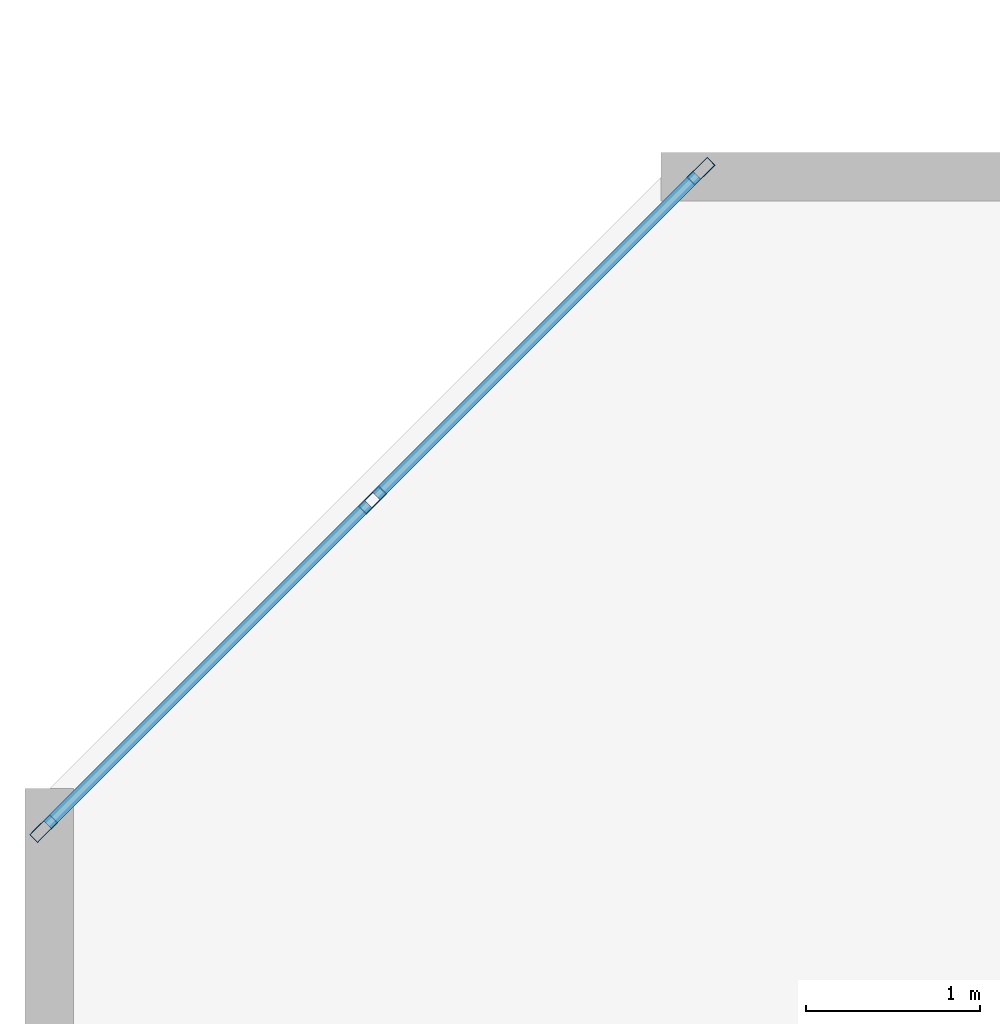
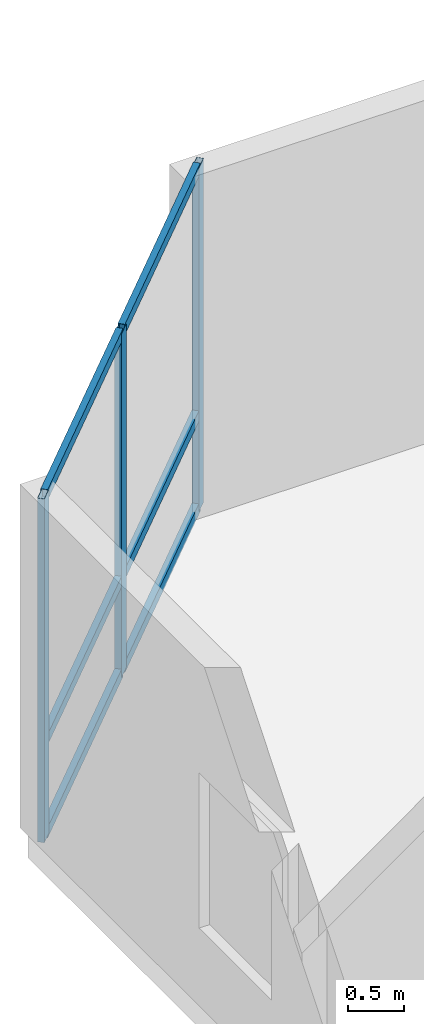
# One storey, part 2 of 11: 9 members, 1 element without a shape of its own.
"""IFC4 building model written with IfcOpenShell, lengths in metres."""

from ifc_helpers import new_model, si_unit, direction, frame, origin, origin_2d, place, context, subcontext, project, spatial, hollow_rectangle, extrude, material, layer, layer_set, material_profile, profile_set, type_object, element, aggregate, save


model = new_model("IFC4")

# Units and contexts
model_context = context("Model", 3, precision=1e-05, world=origin(), true_north=direction((0.0, 1.0)))
body_context = subcontext(model_context, "Body", "Model", "MODEL_VIEW")
ifc_project = project(units=[si_unit("LENGTHUNIT", "METRE"), si_unit("AREAUNIT", "SQUARE_METRE"), si_unit("VOLUMEUNIT", "CUBIC_METRE"), si_unit("PLANEANGLEUNIT", "RADIAN"), si_unit("MASSUNIT", "GRAM", prefix="KILO")], contexts=[model_context])

# Site, building, storey
site_placement = place(None, origin())
site = spatial("IfcSite", under=ifc_project, at=site_placement, CompositionType="ELEMENT")
building_placement = place(site_placement, origin())
building = spatial("IfcBuilding", under=site, at=building_placement, Name="Kestravale Grand Hotel", CompositionType="ELEMENT")
storey_placement = place(building_placement, frame((0.0, 0.0, 289.39990234375)))
storey = spatial("IfcBuildingStorey", under=building, at=storey_placement, Name="L72", CompositionType="ELEMENT", Elevation=289.39990234375)

# Curtain wall, members
ifc_material_1 = material(Name="Thermally broken champagne-bronze aluminium and low-E glazing", Category="aluminium")
ifc_layer = layer(ifc_material_1, 0.179931640625)
ifc_layer_set = layer_set([ifc_layer], Name="CW-Z4")
curtain_wall_type = type_object("IfcCurtainWallType", Name="CW-Z4", PredefinedType="NOTDEFINED", material=ifc_layer_set)
curtain_wall_placement = place(storey_placement, origin())
curtain_wall = element("IfcCurtainWall", 1, at=curtain_wall_placement, inside=storey, type_object=curtain_wall_type, Name="L72 unitised curtain wall 18", PredefinedType="NOTDEFINED")
ifc_material_2 = material(Name="Aluminium 6063-T6 anodised", Category="aluminium")
ifc_material_profile_1 = material_profile(ifc_material_2, hollow_rectangle(XDim=0.06494140625, YDim=0.1650390625, WallThickness=0.00341796875, at=origin_2d()))
ifc_profile_set_1 = profile_set([ifc_material_profile_1], Name="Aluminium 6063-T6 anodised")
member_type_1 = type_object("IfcMemberType", Name="CW-MUL-165", PredefinedType="MULLION", material=ifc_profile_set_1)
member_1_placement = place(storey_placement, frame((11.690185546875, 44.59228515625, 0.0), z_axis=(0.0, 0.0, 1.0), x_axis=(0.707106781187, -0.707106781187, 0.0)))
member_1 = element("IfcMember", 2, at=member_1_placement, type_object=member_type_1, Name="CW-Z4 mullion 1", PredefinedType="MULLION", context=body_context, shape_type="SweptSolid", body=[
    extrude(hollow_rectangle(XDim=0.06494140625, YDim=0.1650390625, WallThickness=0.00341796875, at=origin_2d()), origin(), (0.0, 0.0, 1.0), 3.760009765625),
])
member_2_placement = place(storey_placement, frame((9.799072265625, 42.700927734375, 0.0), z_axis=(0.0, 0.0, 1.0), x_axis=(0.707106781187, -0.707106781187, 0.0)))
member_2 = element("IfcMember", 3, at=member_2_placement, type_object=member_type_1, Name="CW-Z4 mullion 2", PredefinedType="MULLION", context=body_context, shape_type="SweptSolid", body=[
    extrude(hollow_rectangle(XDim=0.06494140625, YDim=0.1650390625, WallThickness=0.00341796875, at=origin_2d()), origin(), (0.0, 0.0, 1.0), 3.760009765625),
])
member_3_placement = place(storey_placement, frame((7.90771484375, 40.809814453125, 0.0), z_axis=(0.0, 0.0, 1.0), x_axis=(0.707106781187, -0.707106781187, 0.0)))
member_3 = element("IfcMember", 4, at=member_3_placement, type_object=member_type_1, Name="CW-Z4 mullion 3", PredefinedType="MULLION", context=body_context, shape_type="SweptSolid", body=[
    extrude(hollow_rectangle(XDim=0.06494140625, YDim=0.1650390625, WallThickness=0.00341796875, at=origin_2d()), origin(), (0.0, 0.0, 1.0), 3.760009765625),
])
ifc_material_3 = material(Name="Aluminium 6063-T6 anodised", Category="aluminium")
ifc_material_profile_2 = material_profile(ifc_material_3, hollow_rectangle(XDim=0.06494140625, YDim=0.114990234375, WallThickness=0.003173828125, at=origin_2d()))
ifc_profile_set_2 = profile_set([ifc_material_profile_2], Name="Aluminium 6063-T6 anodised")
member_type_2 = type_object("IfcMemberType", Name="CW-TRN-115", PredefinedType="USERDEFINED", material=ifc_profile_set_2)
member_4_placement = place(storey_placement, frame((11.667236328125, 44.5693359375, 0.03271484375), z_axis=(-0.707060004037, -0.707153555242, 0.0), x_axis=(0.707153555242, -0.707060004037, 0.0)))
member_4 = element("IfcMember", 5, at=member_4_placement, type_object=member_type_2, Name="CW-Z4 transom 1.1", ObjectType="TRANSOM", PredefinedType="USERDEFINED", context=body_context, shape_type="SweptSolid", body=[
    extrude(hollow_rectangle(XDim=0.06494140625, YDim=0.114990234375, WallThickness=0.003173828125, at=origin_2d()), origin(), (0.0, 0.0, 1.0), 2.609619140625),
])
member_5_placement = place(storey_placement, frame((11.667236328125, 44.5693359375, 1.050048828125), z_axis=(-0.707060004037, -0.707153555242, 0.0), x_axis=(0.707153555242, -0.707060004037, 0.0)))
member_5 = element("IfcMember", 6, at=member_5_placement, type_object=member_type_2, Name="CW-Z4 transom 1.2", ObjectType="TRANSOM", PredefinedType="USERDEFINED", context=body_context, shape_type="SweptSolid", body=[
    extrude(hollow_rectangle(XDim=0.06494140625, YDim=0.114990234375, WallThickness=0.003173828125, at=origin_2d()), origin(), (0.0, 0.0, 1.0), 2.609619140625),
])
member_6_placement = place(storey_placement, frame((11.667236328125, 44.5693359375, 3.7275390625), z_axis=(-0.707060004037, -0.707153555242, 0.0), x_axis=(0.707153555242, -0.707060004037, 0.0)))
member_6 = element("IfcMember", 7, at=member_6_placement, type_object=member_type_2, Name="CW-Z4 transom 1.3", ObjectType="TRANSOM", PredefinedType="USERDEFINED", context=body_context, shape_type="SweptSolid", body=[
    extrude(hollow_rectangle(XDim=0.06494140625, YDim=0.114990234375, WallThickness=0.003173828125, at=origin_2d()), origin(), (0.0, 0.0, 1.0), 2.609619140625),
])
member_7_placement = place(storey_placement, frame((9.776123046875, 42.677978515625, 0.03271484375), z_axis=(-0.707153555242, -0.707060004037, 0.0), x_axis=(0.707060004037, -0.707153555242, 0.0)))
member_7 = element("IfcMember", 8, at=member_7_placement, type_object=member_type_2, Name="CW-Z4 transom 2.1", ObjectType="TRANSOM", PredefinedType="USERDEFINED", context=body_context, shape_type="SweptSolid", body=[
    extrude(hollow_rectangle(XDim=0.06494140625, YDim=0.114990234375, WallThickness=0.003173828125, at=origin_2d()), origin(), (0.0, 0.0, 1.0), 2.609619140625),
])
member_8_placement = place(storey_placement, frame((9.776123046875, 42.677978515625, 1.050048828125), z_axis=(-0.707153555242, -0.707060004037, 0.0), x_axis=(0.707060004037, -0.707153555242, 0.0)))
member_8 = element("IfcMember", 9, at=member_8_placement, type_object=member_type_2, Name="CW-Z4 transom 2.2", ObjectType="TRANSOM", PredefinedType="USERDEFINED", context=body_context, shape_type="SweptSolid", body=[
    extrude(hollow_rectangle(XDim=0.06494140625, YDim=0.114990234375, WallThickness=0.003173828125, at=origin_2d()), origin(), (0.0, 0.0, 1.0), 2.609619140625),
])
member_9_placement = place(storey_placement, frame((9.776123046875, 42.677978515625, 3.7275390625), z_axis=(-0.707153555242, -0.707060004037, 0.0), x_axis=(0.707060004037, -0.707153555242, 0.0)))
member_9 = element("IfcMember", 10, at=member_9_placement, type_object=member_type_2, Name="CW-Z4 transom 2.3", ObjectType="TRANSOM", PredefinedType="USERDEFINED", context=body_context, shape_type="SweptSolid", body=[
    extrude(hollow_rectangle(XDim=0.06494140625, YDim=0.114990234375, WallThickness=0.003173828125, at=origin_2d()), origin(), (0.0, 0.0, 1.0), 2.609619140625),
])
aggregate(curtain_wall, [member_1, member_2, member_3, member_4, member_5, member_6, member_7, member_8, member_9])

save(model, "model.ifc")
